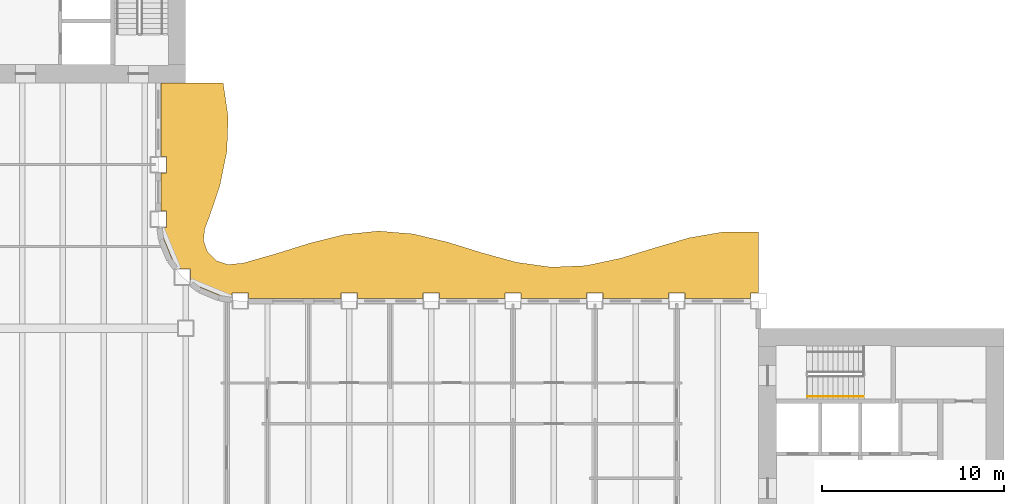
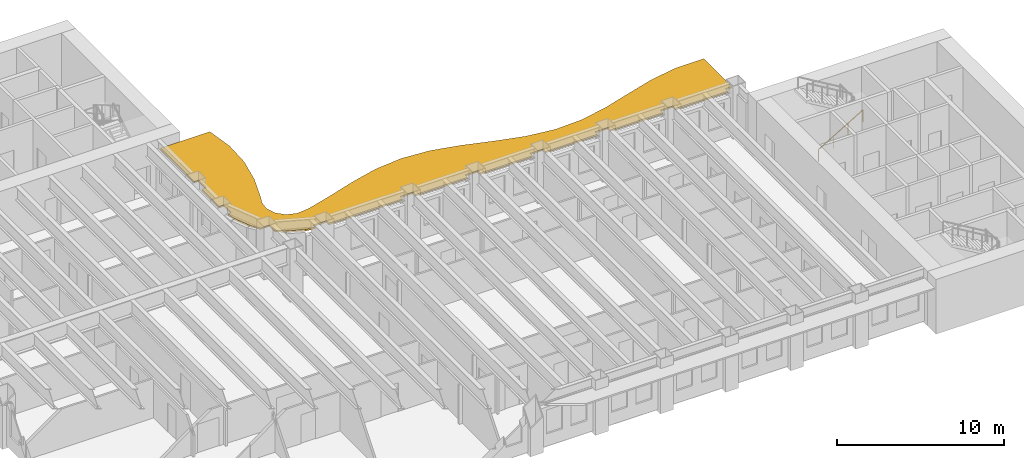
# One storey, part 14 of 16: 1 railing, 1 shading device.
"""IFC4 building model written with IfcOpenShell, lengths in metres."""

from ifc_helpers import new_model, si_unit, direction, frame, origin, origin_2d, place, context, subcontext, project, spatial, polyline, rectangle, outline, extrude, material, layer, layer_set, type_object, element, save


model = new_model("IFC4")

# Units and contexts
model_context = context("Model", 3, precision=1e-05, world=origin(), true_north=direction((0.0, 1.0)))
body_context = subcontext(model_context, "Body", "Model", "MODEL_VIEW")
ifc_project = project(units=[si_unit("LENGTHUNIT", "METRE"), si_unit("AREAUNIT", "SQUARE_METRE"), si_unit("VOLUMEUNIT", "CUBIC_METRE"), si_unit("PLANEANGLEUNIT", "RADIAN"), si_unit("MASSUNIT", "GRAM", prefix="KILO")], contexts=[model_context])

# Site, building, storey
site_placement = place(None, origin())
site = spatial("IfcSite", under=ifc_project, at=site_placement, CompositionType="ELEMENT")
building_placement = place(site_placement, origin())
building = spatial("IfcBuilding", under=site, at=building_placement, Name="Sennacour Bend Tower", CompositionType="ELEMENT")
storey_placement = place(building_placement, frame((0.0, 0.0, 159.0)))
storey = spatial("IfcBuildingStorey", under=building, at=storey_placement, Name="L36", CompositionType="ELEMENT", Elevation=159.0)

# Railing
ifc_material_1 = material(Name="Stainless steel", Category="steel")
railing_type = type_object("IfcRailingType", Name="RL-HANDRAIL-900", PredefinedType="HANDRAIL", material=ifc_material_1)
railing_placement = place(storey_placement, frame((56.699951171875, 18.75, 0.166748046875)))
element("IfcRailing", 1, at=railing_placement, inside=storey, type_object=railing_type, Name="L36 SA2 stair handrail 1", PredefinedType="HANDRAIL", context=body_context, shape_type="SweptSolid", body=[
    extrude(rectangle(XDim=0.048095703125, YDim=0.048095703125, at=origin_2d()), frame((0.0, 0.0, 0.8759765625), z_axis=(0.859308565015, 0.0, 0.511457515432), x_axis=(0.0, 1.0, 0.0)), (0.0, 0.0, 1.0), 3.58447265625),
    extrude(rectangle(XDim=0.0419921875, YDim=0.0419921875, at=origin_2d()), origin(), (0.0, 0.0, 1.0), 0.851806640625),
    extrude(rectangle(XDim=0.0419921875, YDim=0.0419921875, at=origin_2d()), frame((1.026611328125, 0.0, 0.611083984375)), (0.0, 0.0, 1.0), 0.851806640625),
    extrude(rectangle(XDim=0.0419921875, YDim=0.0419921875, at=origin_2d()), frame((2.053466796875, 0.0, 1.22216796875)), (0.0, 0.0, 1.0), 0.851806640625),
    extrude(rectangle(XDim=0.0419921875, YDim=0.0419921875, at=origin_2d()), frame((3.080078125, 0.0, 1.833251953125)), (0.0, 0.0, 1.0), 0.851806640625),
])

# Shading device
ifc_material_2 = material(Name="Bronze anodised aluminium", Category="aluminium")
ifc_layer = layer(ifc_material_2, 0.1201171875, Name="Bronze anodised aluminium", Category="aluminium")
ifc_layer_set = layer_set([ifc_layer], Name="Bronze anodised aluminium")
shading_device_type = type_object("IfcShadingDeviceType", Name="SUNSHADE BAND WAVE", PredefinedType="USERDEFINED", material=ifc_layer_set)
shading_device_placement = place(storey_placement, frame((0.0, 0.0, 3.029052734375)))
element("IfcShadingDevice", 2, at=shading_device_placement, inside=storey, type_object=shading_device_type, Name="Sunshade band L36 concave faces", ObjectType="SUNSHADE", PredefinedType="USERDEFINED", context=body_context, shape_type="SweptSolid", body=[
    extrude(outline(polyline([(53.550048828125, 24.14990234375), (49.949951171875, 24.14990234375), (49.949951171875, 24.449951171875), (49.050048828125, 24.449951171875), (49.050048828125, 24.14990234375), (45.449951171875, 24.14990234375), (45.449951171875, 24.449951171875), (44.550048828125, 24.449951171875), (44.550048828125, 24.14990234375), (40.949951171875, 24.14990234375), (40.949951171875, 24.449951171875), (40.050048828125, 24.449951171875), (40.050048828125, 24.14990234375), (36.449951171875, 24.14990234375), (36.449951171875, 24.449951171875), (35.550048828125, 24.449951171875), (35.550048828125, 24.14990234375), (31.949951171875, 24.14990234375), (31.949951171875, 24.449951171875), (31.050048828125, 24.449951171875), (31.050048828125, 24.14990234375), (25.949951171875, 24.14990234375), (25.949951171875, 24.449951171875), (25.050048828125, 24.449951171875), (25.050048828125, 24.21044921875), (24.37451171875, 24.299560546875), (23.32568359375, 24.73388671875), (22.76806640625, 25.16162109375), (22.76806640625, 25.76806640625), (22.16162109375, 25.76806640625), (21.73388671875, 26.32568359375), (21.299560546875, 27.37451171875), (21.21044921875, 28.050048828125), (21.449951171875, 28.050048828125), (21.449951171875, 28.949951171875), (21.14990234375, 28.949951171875), (21.14990234375, 31.050048828125), (21.449951171875, 31.050048828125), (21.449951171875, 31.949951171875), (21.14990234375, 31.949951171875), (21.14990234375, 36.0), (24.560791015625, 36.0), (24.8330078125, 34.125), (24.76708984375, 32.25), (24.38623046875, 30.375), (23.82080078125, 28.684814453125), (23.548828125, 27.977294921875), (23.4814453125, 27.334716796875), (23.700439453125, 26.700439453125), (24.18359375, 26.219970703125), (24.831787109375, 26.005859375), (25.636474609375, 26.081787109375), (27.39990234375, 26.58056640625), (29.300048828125, 27.174072265625), (31.199951171875, 27.6533203125), (33.10009765625, 27.849365234375), (35.0, 27.693115234375), (36.89990234375, 27.2392578125), (38.800048828125, 26.648193359375), (40.699951171875, 26.12841796875), (42.60009765625, 25.863037109375), (44.5, 25.94580078125), (46.39990234375, 26.347412109375), (48.300048828125, 26.926025390625), (50.199951171875, 27.47802734375), (52.10009765625, 27.80859375), (54.0, 27.801025390625), (54.0, 24.449951171875), (53.550048828125, 24.449951171875), (53.550048828125, 24.14990234375)])), origin(), (0.0, 0.0, 1.0), 0.119873046875),
])

save(model, "model.ifc")
